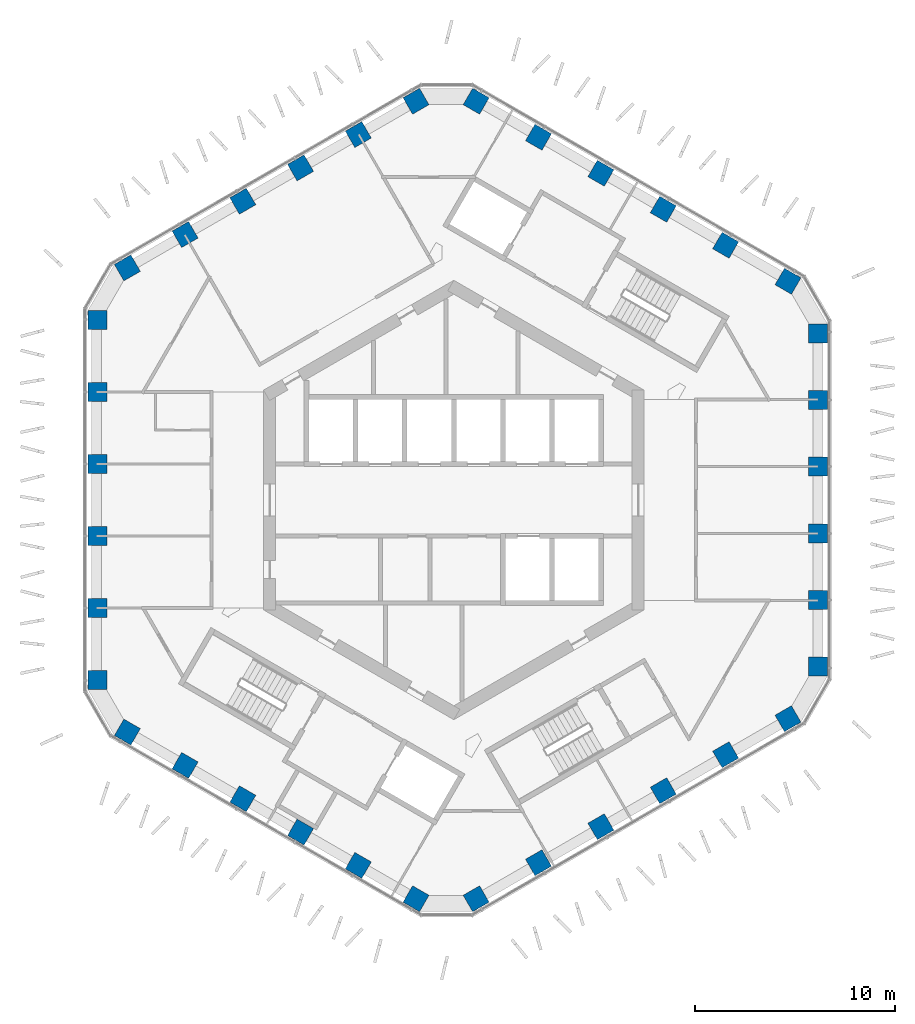
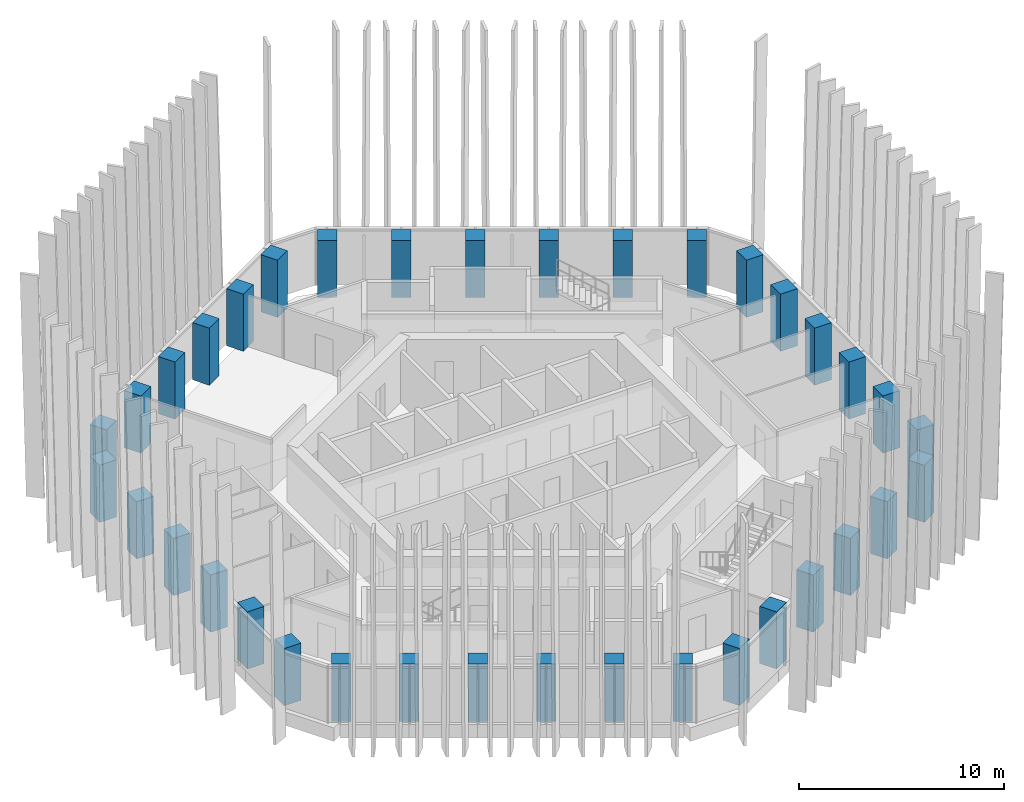
# One storey, part 1 of 21: 36 columns.
"""IFC4 building model written with IfcOpenShell, lengths in metres."""

from ifc_helpers import new_model, si_unit, direction, frame, origin, origin_2d, place, context, subcontext, project, spatial, rectangle, extrude, material, material_profile, profile_set, type_object, element, save


model = new_model("IFC4")

# Units and contexts
model_context = context("Model", 3, precision=1e-05, world=origin(), true_north=direction((0.0, 1.0)))
body_context = subcontext(model_context, "Body", "Model", "MODEL_VIEW")
ifc_project = project(units=[si_unit("LENGTHUNIT", "METRE"), si_unit("AREAUNIT", "SQUARE_METRE"), si_unit("VOLUMEUNIT", "CUBIC_METRE"), si_unit("PLANEANGLEUNIT", "RADIAN"), si_unit("MASSUNIT", "GRAM", prefix="KILO")], contexts=[model_context])

# Site, building, storey
site_placement = place(None, origin())
site = spatial("IfcSite", under=ifc_project, at=site_placement, CompositionType="ELEMENT")
building_placement = place(site_placement, origin())
building = spatial("IfcBuilding", under=site, at=building_placement, Name="Ayvan Gate Tower", CompositionType="ELEMENT")
storey_placement = place(building_placement, frame((0.0, 0.0, 173.10009765625)))
storey = spatial("IfcBuildingStorey", under=building, at=storey_placement, Name="L46", CompositionType="ELEMENT", Elevation=173.10009765625)

# Columns
ifc_material = material(Name="Concrete C55/67", Category="concrete")
ifc_material_profile = material_profile(ifc_material, rectangle(XDim=0.949951171875, YDim=0.949951171875, at=origin_2d()), Name="RC 950x950")
ifc_profile_set = profile_set([ifc_material_profile], Name="Concrete C55/67")
column_type = type_object("IfcColumnType", Name="Tube column RC 950x950 C55/67", PredefinedType="COLUMN", material=ifc_profile_set)
for number, where, z_axis, x_axis, name in (
    (1, (18.1865234375, -8.322509765625, 0.0), (0.0, 0.0, 1.0), (1.0, 0.0, 0.0), "C-T0-0-L46"),
    (2, (18.1865234375, -4.993408203125, 0.0), (0.0, 0.0, 1.0), (1.0, 0.0, 0.0), "C-T0-1-L46"),
    (3, (18.1865234375, -1.66455078125, 0.0), (0.0, 0.0, 1.0), (1.0, 0.0, 0.0), "C-T0-2-L46"),
    (4, (18.1865234375, 1.66455078125, 0.0), (0.0, 0.0, 1.0), (1.0, 0.0, 0.0), "C-T0-3-L46"),
    (5, (18.1865234375, 4.993408203125, 0.0), (0.0, 0.0, 1.0), (1.0, 0.0, 0.0), "C-T0-4-L46"),
    (6, (18.1865234375, 8.322509765625, 0.0), (0.0, 0.0, 1.0), (1.0, 0.0, 0.0), "C-T0-5-L46"),
    (7, (16.6865234375, 10.920654296875, 0.0), (0.0, 0.0, 1.0), (0.5, 0.866025403784, 0.0), "C-T1-0-L46"),
    (8, (13.572021484375, 12.71875, 0.0), (0.0, 0.0, 1.0), (0.5, 0.866025403784, 0.0), "C-T1-1-L46"),
    (9, (10.45751953125, 14.516845703125, 0.0), (0.0, 0.0, 1.0), (0.5, 0.866025403784, 0.0), "C-T1-2-L46"),
    (10, (7.34326171875, 16.31494140625, 0.0), (0.0, 0.0, 1.0), (0.5, 0.866025403784, 0.0), "C-T1-3-L46"),
    (11, (4.228759765625, 18.113037109375, 0.0), (0.0, 0.0, 1.0), (0.5, 0.866025403784, 0.0), "C-T1-4-L46"),
    (12, (1.1142578125, 19.911376953125, 0.0), (0.0, 0.0, 1.0), (0.5, 0.866025403784, 0.0), "C-T1-5-L46"),
    (13, (-1.8857421875, 19.911376953125, 0.0), (0.0, 0.0, 1.0), (-0.5, 0.866025403784, 0.0), "C-T2-0-L46"),
    (14, (-4.768798828125, 18.246826171875, 0.0), (0.0, 0.0, 1.0), (-0.5, 0.866025403784, 0.0), "C-T2-1-L46"),
    (15, (-7.65185546875, 16.582275390625, 0.0), (0.0, 0.0, 1.0), (-0.5, 0.866025403784, 0.0), "C-T2-2-L46"),
    (16, (-10.53466796875, 14.917724609375, 0.0), (0.0, 0.0, 1.0), (-0.5, 0.866025403784, 0.0), "C-T2-3-L46"),
    (17, (-13.417724609375, 13.253173828125, 0.0), (0.0, 0.0, 1.0), (-0.5, 0.866025403784, 0.0), "C-T2-4-L46"),
    (18, (-16.30078125, 11.588623046875, 0.0), (0.0, 0.0, 1.0), (-0.5, 0.866025403784, 0.0), "C-T2-5-L46"),
    (19, (-17.80078125, 8.99072265625, 0.0), (0.0, 0.0, 1.0), (-1.0, 0.0, 0.0), "C-T3-0-L46"),
    (20, (-17.80078125, 5.394287109375, 0.0), (0.0, 0.0, 1.0), (-1.0, 0.0, 0.0), "C-T3-1-L46"),
    (21, (-17.80078125, 1.798095703125, 0.0), (0.0, 0.0, 1.0), (-1.0, 0.0, 0.0), "C-T3-2-L46"),
    (22, (-17.80078125, -1.798095703125, 0.0), (0.0, 0.0, 1.0), (-1.0, 0.0, 0.0), "C-T3-3-L46"),
    (23, (-17.80078125, -5.394287109375, 0.0), (0.0, 0.0, 1.0), (-1.0, 0.0, 0.0), "C-T3-4-L46"),
    (24, (-17.80078125, -8.99072265625, 0.0), (0.0, 0.0, 1.0), (-1.0, 0.0, 0.0), "C-T3-5-L46"),
    (25, (-16.30078125, -11.588623046875, 0.0), (0.0, 0.0, 1.0), (-0.5, -0.866025403784, 0.0), "C-T4-0-L46"),
    (26, (-13.417724609375, -13.253173828125, 0.0), (0.0, 0.0, 1.0), (-0.5, -0.866025403784, 0.0), "C-T4-1-L46"),
    (27, (-10.53466796875, -14.917724609375, 0.0), (0.0, 0.0, 1.0), (-0.5, -0.866025403784, 0.0), "C-T4-2-L46"),
    (28, (-7.65185546875, -16.582275390625, 0.0), (0.0, 0.0, 1.0), (-0.5, -0.866025403784, 0.0), "C-T4-3-L46"),
    (29, (-4.768798828125, -18.246826171875, 0.0), (0.0, 0.0, 1.0), (-0.5, -0.866025403784, 0.0), "C-T4-4-L46"),
    (30, (-1.8857421875, -19.911376953125, 0.0), (0.0, 0.0, 1.0), (-0.5, -0.866025403784, 0.0), "C-T4-5-L46"),
    (31, (1.1142578125, -19.911376953125, 0.0), (0.0, 0.0, 1.0), (0.5, -0.866025403784, 0.0), "C-T5-0-L46"),
    (32, (4.228759765625, -18.113037109375, 0.0), (0.0, 0.0, 1.0), (0.5, -0.866025403784, 0.0), "C-T5-1-L46"),
    (33, (7.34326171875, -16.31494140625, 0.0), (0.0, 0.0, 1.0), (0.5, -0.866025403784, 0.0), "C-T5-2-L46"),
    (34, (10.45751953125, -14.516845703125, 0.0), (0.0, 0.0, 1.0), (0.5, -0.866025403784, 0.0), "C-T5-3-L46"),
    (35, (13.572021484375, -12.71875, 0.0), (0.0, 0.0, 1.0), (0.5, -0.866025403784, 0.0), "C-T5-4-L46"),
    (36, (16.6865234375, -10.920654296875, 0.0), (0.0, 0.0, 1.0), (0.5, -0.866025403784, 0.0), "C-T5-5-L46"),
):
    element("IfcColumn", number, at=place(storey_placement, frame(where, z_axis=z_axis, x_axis=x_axis)), inside=storey, type_object=column_type, Name=name, PredefinedType="COLUMN", context=body_context, shape_type="SweptSolid", body=[
        extrude(rectangle(XDim=0.949951171875, YDim=0.949951171875, at=origin_2d()), origin(), (0.0, 0.0, 1.0), 3.39990234375),
    ])

save(model, "model.ifc")
